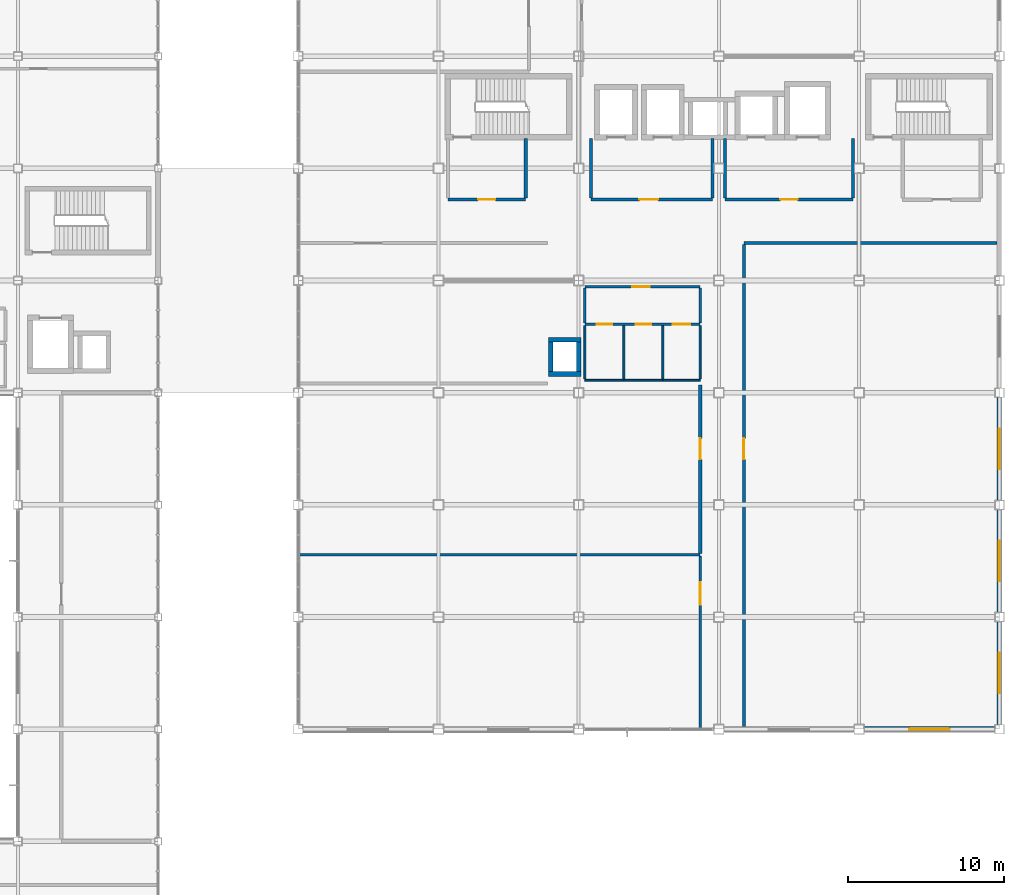
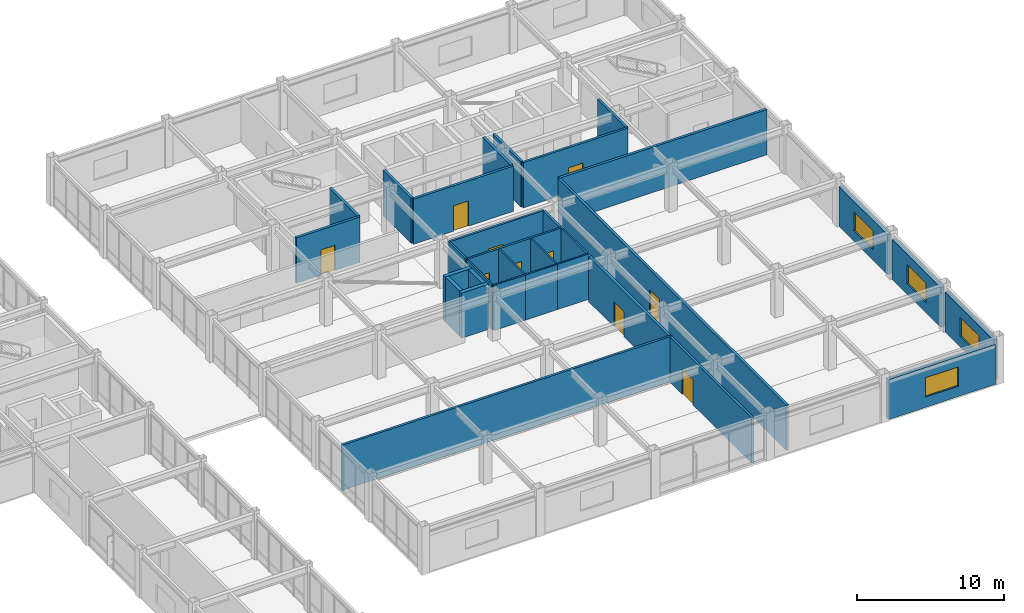
# One storey, part 98 of 113: 32 walls, 10 doors, 4 windows, 14 openings.
"""IFC4 building model written with IfcOpenShell, lengths in metres."""

from ifc_helpers import new_model, si_unit, direction, frame, frame_2d, origin, place, context, subcontext, project, spatial, rectangle, extrude, material, layer, layer_set, type_object, element, fill, save


model = new_model("IFC4")

# Units and contexts
model_context = context("Model", 3, precision=1e-05, world=origin(), true_north=direction((0.0, 1.0)))
body_context = subcontext(model_context, "Body", "Model", "MODEL_VIEW")
ifc_project = project(units=[si_unit("LENGTHUNIT", "METRE"), si_unit("AREAUNIT", "SQUARE_METRE"), si_unit("VOLUMEUNIT", "CUBIC_METRE"), si_unit("PLANEANGLEUNIT", "RADIAN"), si_unit("MASSUNIT", "GRAM", prefix="KILO")], contexts=[model_context])

# Site, building, storey
site_placement = place(None, origin())
site = spatial("IfcSite", under=ifc_project, at=site_placement, CompositionType="ELEMENT")
building_placement = place(site_placement, origin())
building = spatial("IfcBuilding", under=site, at=building_placement, Name="Kazanami Central Library", CompositionType="ELEMENT")
storey_placement = place(building_placement, frame((0.0, 0.0, 8.800048828125)))
storey = spatial("IfcBuildingStorey", under=building, at=storey_placement, Name="L03", CompositionType="ELEMENT", Elevation=8.800048828125)

# Wall, opening, window
ifc_material_1 = material(Name="Concrete Fc36 (36 MPa)", Category="concrete")
ifc_layer_1 = layer(ifc_material_1, 0.219970703125, Name="Concrete Fc36 (36 MPa)")
ifc_material_2 = material(Name="Extruded Polystyrene XPS", Category="earth")
ifc_layer_2 = layer(ifc_material_2, 0.050048828125, Name="Extruded Polystyrene XPS")
ifc_material_3 = material(Name="Honed Inada Granite", Category="masonry")
ifc_layer_3 = layer(ifc_material_3, 0.030029296875, Name="Honed Inada Granite")
ifc_layer_set_1 = layer_set([ifc_layer_1, ifc_layer_2, ifc_layer_3], Name="Concrete Fc36 (36 MPa)")
wall_type_1 = type_object("IfcWallType", Name="WAL-EW-300", PredefinedType="STANDARD", material=ifc_layer_set_1)
wall_1_placement = place(storey_placement, frame((162.0, 50.10009765625, 0.0), z_axis=(0.0, 0.0, 1.0), x_axis=(0.0, -1.0, 0.0)))
wall_1 = element("IfcWall", 1, at=wall_1_placement, inside=storey, type_object=wall_type_1, Name="Exterior Facade Wall EW-300 L03 E-19-06", PredefinedType="STANDARD", context=body_context, shape_type="SweptSolid", body=[
    extrude(rectangle(XDim=6.60009765625, YDim=0.300048828125, at=frame_2d((3.300048828125, 0.0))), origin(), (0.0, 0.0, 1.0), 3.294921875),
])
opening_1_placement = place(wall_1_placement, frame((2.0, 0.0, 0.85009765625)))
opening_1 = element("IfcOpeningElement", 2, at=opening_1_placement, cuts=wall_1, Name="Opening WN-13", PredefinedType="OPENING", context=body_context, shape_type="SweptSolid", body=[
    extrude(rectangle(XDim=2.60009765625, YDim=1.60009765625, at=frame_2d((1.300048828125, 0.800048828125))), frame((0.0, 0.162109375, 0.0), z_axis=(0.0, -1.0, 0.0), x_axis=(1.0, 0.0, 0.0)), (0.0, 0.0, 1.0), 0.323974609375),
])
ifc_material_4 = material(Name="Low-E Insulated Triple Glass", Category="glass")
window_type = type_object("IfcWindowType", Name="WIN-WN-13", PartitioningType="DOUBLE_PANEL_VERTICAL", PredefinedType="WINDOW", material=ifc_material_4)
window_1_placement = place(opening_1_placement, origin())
window_1 = element("IfcWindow", 3, at=window_1_placement, inside=storey, type_object=window_type, Name="Facade Window WN-13 L03 E-19-06", OverallHeight=1.60009765625, OverallWidth=2.60009765625, PartitioningType="DOUBLE_PANEL_VERTICAL", PredefinedType="WINDOW", context=body_context, shape_type="SweptSolid", body=[
    extrude(rectangle(XDim=2.60009765625, YDim=1.60009765625, at=frame_2d((1.300048828125, 0.800048828125))), frame((0.0, 0.030029296875, 0.0), z_axis=(0.0, -1.0, 0.0), x_axis=(1.0, 0.0, 0.0)), (0.0, 0.0, 1.0), 0.06005859375),
])
fill(opening_1, window_1)

wall_2_placement = place(storey_placement, frame((162.0, 57.300048828125, 0.0), z_axis=(0.0, 0.0, 1.0), x_axis=(0.0, -1.0, 0.0)))
wall_2 = element("IfcWall", 4, at=wall_2_placement, inside=storey, type_object=wall_type_1, Name="Exterior Facade Wall EW-300 L03 E-19-07", PredefinedType="STANDARD", context=body_context, shape_type="SweptSolid", body=[
    extrude(rectangle(XDim=6.60009765625, YDim=0.300048828125, at=frame_2d((3.300048828125, 0.0))), origin(), (0.0, 0.0, 1.0), 3.294921875),
])
opening_2_placement = place(wall_2_placement, frame((2.0, 0.0, 0.85009765625)))
opening_2 = element("IfcOpeningElement", 5, at=opening_2_placement, cuts=wall_2, Name="Opening WN-13", PredefinedType="OPENING", context=body_context, shape_type="SweptSolid", body=[
    extrude(rectangle(XDim=2.60009765625, YDim=1.60009765625, at=frame_2d((1.300048828125, 0.800048828125))), frame((0.0, 0.162109375, 0.0), z_axis=(0.0, -1.0, 0.0), x_axis=(1.0, 0.0, 0.0)), (0.0, 0.0, 1.0), 0.323974609375),
])
window_2_placement = place(opening_2_placement, origin())
window_2 = element("IfcWindow", 6, at=window_2_placement, inside=storey, type_object=window_type, Name="Facade Window WN-13 L03 E-19-07", OverallHeight=1.60009765625, OverallWidth=2.60009765625, PartitioningType="DOUBLE_PANEL_VERTICAL", PredefinedType="WINDOW", context=body_context, shape_type="SweptSolid", body=[
    extrude(rectangle(XDim=2.60009765625, YDim=1.60009765625, at=frame_2d((1.300048828125, 0.800048828125))), frame((0.0, 0.030029296875, 0.0), z_axis=(0.0, -1.0, 0.0), x_axis=(1.0, 0.0, 0.0)), (0.0, 0.0, 1.0), 0.06005859375),
])
fill(opening_2, window_2)

wall_3_placement = place(storey_placement, frame((162.0, 64.5, 0.0), z_axis=(0.0, 0.0, 1.0), x_axis=(0.0, -1.0, 0.0)))
wall_3 = element("IfcWall", 7, at=wall_3_placement, inside=storey, type_object=wall_type_1, Name="Exterior Facade Wall EW-300 L03 E-19-08", PredefinedType="STANDARD", context=body_context, shape_type="SweptSolid", body=[
    extrude(rectangle(XDim=6.60009765625, YDim=0.300048828125, at=frame_2d((3.300048828125, 0.0))), origin(), (0.0, 0.0, 1.0), 3.294921875),
])
opening_3_placement = place(wall_3_placement, frame((2.0, 0.0, 0.85009765625)))
opening_3 = element("IfcOpeningElement", 8, at=opening_3_placement, cuts=wall_3, Name="Opening WN-13", PredefinedType="OPENING", context=body_context, shape_type="SweptSolid", body=[
    extrude(rectangle(XDim=2.60009765625, YDim=1.60009765625, at=frame_2d((1.300048828125, 0.800048828125))), frame((0.0, 0.162109375, 0.0), z_axis=(0.0, -1.0, 0.0), x_axis=(1.0, 0.0, 0.0)), (0.0, 0.0, 1.0), 0.323974609375),
])
window_3_placement = place(opening_3_placement, origin())
window_3 = element("IfcWindow", 9, at=window_3_placement, inside=storey, type_object=window_type, Name="Facade Window WN-13 L03 E-19-08", OverallHeight=1.60009765625, OverallWidth=2.60009765625, PartitioningType="DOUBLE_PANEL_VERTICAL", PredefinedType="WINDOW", context=body_context, shape_type="SweptSolid", body=[
    extrude(rectangle(XDim=2.60009765625, YDim=1.60009765625, at=frame_2d((1.300048828125, 0.800048828125))), frame((0.0, 0.030029296875, 0.0), z_axis=(0.0, -1.0, 0.0), x_axis=(1.0, 0.0, 0.0)), (0.0, 0.0, 1.0), 0.06005859375),
])
fill(opening_3, window_3)

ifc_layer_4 = layer(ifc_material_1, 0.239990234375, Name="Concrete Fc36 (36 MPa)")
ifc_layer_5 = layer(ifc_material_2, 0.050048828125, Name="Extruded Polystyrene XPS")
ifc_layer_6 = layer(ifc_material_3, 0.030029296875, Name="Honed Inada Granite")
ifc_layer_set_2 = layer_set([ifc_layer_4, ifc_layer_5, ifc_layer_6], Name="Concrete Fc36 (36 MPa)")
wall_type_2 = type_object("IfcWallType", Name="WAL-EW-320", PredefinedType="STANDARD", material=ifc_layer_set_2)
wall_4_placement = place(storey_placement, frame((153.324951171875, 43.199951171875, 0.0), z_axis=(0.0, 0.0, 1.0), x_axis=(1.0, 0.0, 0.0)))
wall_4 = element("IfcWall", 10, at=wall_4_placement, inside=storey, type_object=wall_type_2, Name="Exterior Facade Wall EW-320 L03 S-G-17", PredefinedType="STANDARD", context=body_context, shape_type="SweptSolid", body=[
    extrude(rectangle(XDim=8.375, YDim=0.320068359375, at=frame_2d((4.1875, 0.0))), origin(), (0.0, 0.0, 1.0), 3.294921875),
])
opening_4_placement = place(wall_4_placement, frame((2.887451171875, 0.0, 0.85009765625)))
opening_4 = element("IfcOpeningElement", 11, at=opening_4_placement, cuts=wall_4, Name="Opening WN-13", PredefinedType="OPENING", context=body_context, shape_type="SweptSolid", body=[
    extrude(rectangle(XDim=2.60009765625, YDim=1.60009765625, at=frame_2d((1.300048828125, 0.800048828125))), frame((0.0, 0.171875, 0.0), z_axis=(0.0, -1.0, 0.0), x_axis=(1.0, 0.0, 0.0)), (0.0, 0.0, 1.0), 0.343994140625),
])
window_4_placement = place(opening_4_placement, origin())
window_4 = element("IfcWindow", 12, at=window_4_placement, inside=storey, type_object=window_type, Name="Facade Window WN-13 L03 S-G-17", OverallHeight=1.60009765625, OverallWidth=2.60009765625, PartitioningType="DOUBLE_PANEL_VERTICAL", PredefinedType="WINDOW", context=body_context, shape_type="SweptSolid", body=[
    extrude(rectangle(XDim=2.60009765625, YDim=1.60009765625, at=frame_2d((1.300048828125, 0.800048828125))), frame((0.0, 0.030029296875, 0.0), z_axis=(0.0, -1.0, 0.0), x_axis=(1.0, 0.0, 0.0)), (0.0, 0.0, 1.0), 0.06005859375),
])
fill(opening_4, window_4)

# Wall, openings, doors
ifc_material_5 = material(Name="Fire-Resistant Gypsum Board GB-F", Category="gypsum")
ifc_layer_7 = layer(ifc_material_5, 0.1650390625, Name="Fire-Resistant Gypsum Board GB-F")
ifc_layer_set_3 = layer_set([ifc_layer_7], Name="Fire-Resistant Gypsum Board GB-F")
wall_type_3 = type_object("IfcWallType", Name="WAL-FW-165", PredefinedType="PARTITIONING", material=ifc_layer_set_3)
wall_5_placement = place(storey_placement, frame((135.39990234375, 69.199951171875, 0.0), z_axis=(0.0, 0.0, 1.0), x_axis=(1.0, 0.0, 0.0)))
wall_5 = element("IfcWall", 13, at=wall_5_placement, inside=storey, type_object=wall_type_3, Name="Interior Partition FW-165 L03 WC-V2-LOB (South)", PredefinedType="PARTITIONING", context=body_context, shape_type="SweptSolid", body=[
    extrude(rectangle(XDim=7.400146484375, YDim=0.1650390625, at=frame_2d((3.7001953125, 0.0))), origin(), (0.0, 0.0, 1.0), 3.744873046875),
])
opening_5_placement = place(wall_5_placement, frame((0.760009765625, 0.0, 0.0)))
opening_5 = element("IfcOpeningElement", 14, at=opening_5_placement, cuts=wall_5, Name="Opening FD30-3", PredefinedType="OPENING", context=body_context, shape_type="SweptSolid", body=[
    extrude(rectangle(XDim=0.97998046875, YDim=2.02001953125, at=frame_2d((0.489990234375, 1.010009765625))), frame((0.0, 0.094482421875, 0.0), z_axis=(0.0, -1.0, 0.0), x_axis=(1.0, 0.0, 0.0)), (0.0, 0.0, 1.0), 0.18896484375),
])
opening_6_placement = place(wall_5_placement, frame((3.25, 0.0, 0.0)))
opening_6 = element("IfcOpeningElement", 15, at=opening_6_placement, cuts=wall_5, Name="Opening FD30-2", PredefinedType="OPENING", context=body_context, shape_type="SweptSolid", body=[
    extrude(rectangle(XDim=1.0, YDim=2.080078125, at=frame_2d((0.5, 1.0400390625))), frame((0.0, 0.094482421875, 0.0), z_axis=(0.0, -1.0, 0.0), x_axis=(1.0, 0.0, 0.0)), (0.0, 0.0, 1.0), 0.18896484375),
])
opening_7_placement = place(wall_5_placement, frame((5.639892578125, 0.0, 0.0)))
opening_7 = element("IfcOpeningElement", 16, at=opening_7_placement, cuts=wall_5, Name="Opening FD30-8", PredefinedType="OPENING", context=body_context, shape_type="SweptSolid", body=[
    extrude(rectangle(XDim=1.1201171875, YDim=2.080078125, at=frame_2d((0.56005859375, 1.0400390625))), frame((0.0, 0.094482421875, 0.0), z_axis=(0.0, -1.0, 0.0), x_axis=(1.0, 0.0, 0.0)), (0.0, 0.0, 1.0), 0.18896484375),
])
ifc_material_6 = material(Name="Cold-Rolled Steel SPCC", Category="steel")
door_type_1 = type_object("IfcDoorType", Name="DOR-FD30-2", OperationType="NOTDEFINED", PredefinedType="DOOR", material=ifc_material_6)
door_1_placement = place(opening_6_placement, origin())
door_1 = element("IfcDoor", 17, at=door_1_placement, inside=storey, type_object=door_type_1, Name="Interior Door FD30-2 L03 WC-V2-F", OperationType="SINGLE_SWING_RIGHT", OverallHeight=2.080078125, OverallWidth=1.0, PredefinedType="DOOR", context=body_context, shape_type="SweptSolid", body=[
    extrude(rectangle(XDim=1.0, YDim=2.080078125, at=frame_2d((0.5, 1.0400390625))), frame((0.0, 0.02490234375, 0.0), z_axis=(0.0, -1.0, 0.0), x_axis=(1.0, 0.0, 0.0)), (0.0, 0.0, 1.0), 0.050048828125),
])
fill(opening_6, door_1)
door_type_2 = type_object("IfcDoorType", Name="DOR-FD30-3", OperationType="NOTDEFINED", PredefinedType="DOOR", material=ifc_material_6)
door_2_placement = place(opening_5_placement, origin())
door_2 = element("IfcDoor", 18, at=door_2_placement, inside=storey, type_object=door_type_2, Name="Interior Door FD30-3 L03 WC-V2-M", OperationType="SINGLE_SWING_LEFT", OverallHeight=2.02001953125, OverallWidth=0.97998046875, PredefinedType="DOOR", context=body_context, shape_type="SweptSolid", body=[
    extrude(rectangle(XDim=0.97998046875, YDim=2.02001953125, at=frame_2d((0.489990234375, 1.010009765625))), frame((0.0, 0.02490234375, 0.0), z_axis=(0.0, -1.0, 0.0), x_axis=(1.0, 0.0, 0.0)), (0.0, 0.0, 1.0), 0.050048828125),
])
fill(opening_5, door_2)
door_type_3 = type_object("IfcDoorType", Name="DOR-FD30-8", OperationType="NOTDEFINED", PredefinedType="DOOR", material=ifc_material_6)
door_3_placement = place(opening_7_placement, origin())
door_3 = element("IfcDoor", 19, at=door_3_placement, inside=storey, type_object=door_type_3, Name="Interior Door FD30-8 L03 WC-V2-ACC", OperationType="SINGLE_SWING_LEFT", OverallHeight=2.080078125, OverallWidth=1.1201171875, PredefinedType="DOOR", context=body_context, shape_type="SweptSolid", body=[
    extrude(rectangle(XDim=1.1201171875, YDim=2.080078125, at=frame_2d((0.56005859375, 1.0400390625))), frame((0.0, 0.02490234375, 0.0), z_axis=(0.0, -1.0, 0.0), x_axis=(1.0, 0.0, 0.0)), (0.0, 0.0, 1.0), 0.050048828125),
])
fill(opening_7, door_3)

# Wall, opening, door
wall_6_placement = place(storey_placement, frame((135.39990234375, 71.60009765625, 0.0), z_axis=(0.0, 0.0, 1.0), x_axis=(1.0, 0.0, 0.0)))
wall_6 = element("IfcWall", 20, at=wall_6_placement, inside=storey, type_object=wall_type_3, Name="Interior Partition FW-165 L03 WC-V2-LOB (North)", PredefinedType="PARTITIONING", context=body_context, shape_type="SweptSolid", body=[
    extrude(rectangle(XDim=7.400146484375, YDim=0.1650390625, at=frame_2d((3.7001953125, 0.0))), origin(), (0.0, 0.0, 1.0), 3.744873046875),
])
opening_8_placement = place(wall_6_placement, frame((3.0400390625, 0.0, 0.0)))
opening_8 = element("IfcOpeningElement", 21, at=opening_8_placement, cuts=wall_6, Name="Opening FD30-8", PredefinedType="OPENING", context=body_context, shape_type="SweptSolid", body=[
    extrude(rectangle(XDim=1.1201171875, YDim=2.080078125, at=frame_2d((0.56005859375, 1.0400390625))), frame((0.0, 0.094482421875, 0.0), z_axis=(0.0, -1.0, 0.0), x_axis=(1.0, 0.0, 0.0)), (0.0, 0.0, 1.0), 0.18896484375),
])
door_4_placement = place(opening_8_placement, origin())
door_4 = element("IfcDoor", 22, at=door_4_placement, inside=storey, type_object=door_type_3, Name="Interior Door FD30-8 L03 WC-V2-LOB", OperationType="SINGLE_SWING_RIGHT", OverallHeight=2.080078125, OverallWidth=1.1201171875, PredefinedType="DOOR", context=body_context, shape_type="SweptSolid", body=[
    extrude(rectangle(XDim=1.1201171875, YDim=2.080078125, at=frame_2d((0.56005859375, 1.0400390625))), frame((0.0, 0.02490234375, 0.0), z_axis=(0.0, -1.0, 0.0), x_axis=(1.0, 0.0, 0.0)), (0.0, 0.0, 1.0), 0.050048828125),
])
fill(opening_8, door_4)

# Walls
for number, where, z_axis, x_axis, name in (
    (23, (135.39990234375, 69.2900390625, 0.0), (0.0, 0.0, 1.0), (0.0, 1.0, 0.0), "Interior Partition FW-165 L03 WC-V2-LOB (West)"),
    (24, (142.800048828125, 69.2900390625, 0.0), (0.0, 0.0, 1.0), (0.0, 1.0, 0.0), "Interior Partition FW-165 L03 WC-V2-LOB (East)"),
):
    element("IfcWall", number, at=place(storey_placement, frame(where, z_axis=z_axis, x_axis=x_axis)), inside=storey, type_object=wall_type_3, Name=name, PredefinedType="PARTITIONING", context=body_context, shape_type="SweptSolid", body=[
        extrude(rectangle(XDim=2.219970703125, YDim=0.1650390625, at=frame_2d((1.10986328125, 0.0))), origin(), (0.0, 0.0, 1.0), 3.744873046875),
    ])

# Wall, opening, door
ifc_layer_8 = layer(ifc_material_5, 0.179931640625, Name="Fire-Resistant Gypsum Board GB-F")
ifc_layer_set_4 = layer_set([ifc_layer_8], Name="Fire-Resistant Gypsum Board GB-F")
wall_type_4 = type_object("IfcWallType", Name="WAL-FW-180", PredefinedType="PARTITIONING", material=ifc_layer_set_4)
wall_7_placement = place(storey_placement, frame((144.39990234375, 77.199951171875, 0.0), z_axis=(0.0, 0.0, 1.0), x_axis=(1.0, 0.0, 0.0)))
wall_7 = element("IfcWall", 25, at=wall_7_placement, inside=storey, type_object=wall_type_4, Name="Interior Partition FW-180 L03 LOBBY-V2 (South)", PredefinedType="PARTITIONING", context=body_context, shape_type="SweptSolid", body=[
    extrude(rectangle(XDim=8.2001953125, YDim=0.179931640625, at=frame_2d((4.10009765625, 0.0))), origin(), (0.0, 0.0, 1.0), 3.744873046875),
])
opening_9_placement = place(wall_7_placement, frame((3.5400390625, 0.0, 0.0)))
opening_9 = element("IfcOpeningElement", 26, at=opening_9_placement, cuts=wall_7, Name="Opening FD30-8", PredefinedType="OPENING", context=body_context, shape_type="SweptSolid", body=[
    extrude(rectangle(XDim=1.1201171875, YDim=2.080078125, at=frame_2d((0.56005859375, 1.0400390625))), frame((0.0, 0.10205078125, 0.0), z_axis=(0.0, -1.0, 0.0), x_axis=(1.0, 0.0, 0.0)), (0.0, 0.0, 1.0), 0.203857421875),
])
door_5_placement = place(opening_9_placement, frame((1.1201171875, 0.0, 0.0), z_axis=(0.0, 0.0, 1.0), x_axis=(-1.0, 0.0, 0.0)))
door_5 = element("IfcDoor", 27, at=door_5_placement, inside=storey, type_object=door_type_3, Name="Interior Door FD30-8 L03 LOBBY-V2", OperationType="SINGLE_SWING_LEFT", OverallHeight=2.080078125, OverallWidth=1.1201171875, PredefinedType="DOOR", context=body_context, shape_type="SweptSolid", body=[
    extrude(rectangle(XDim=1.1201171875, YDim=2.080078125, at=frame_2d((0.56005859375, 1.0400390625))), frame((0.0, 0.02490234375, 0.0), z_axis=(0.0, -1.0, 0.0), x_axis=(1.0, 0.0, 0.0)), (0.0, 0.0, 1.0), 0.050048828125),
])
fill(opening_9, door_5)

# Walls
for number, where, z_axis, x_axis, name in (
    (28, (144.39990234375, 77.2900390625, 0.0), (0.0, 0.0, 1.0), (0.0, 1.0, 0.0), "Interior Partition FW-180 L03 LOBBY-V2 (West)"),
    (29, (152.60009765625, 77.2900390625, 0.0), (0.0, 0.0, 1.0), (0.0, 1.0, 0.0), "Interior Partition FW-180 L03 LOBBY-V2 (East)"),
):
    element("IfcWall", number, at=place(storey_placement, frame(where, z_axis=z_axis, x_axis=x_axis)), inside=storey, type_object=wall_type_4, Name=name, PredefinedType="PARTITIONING", context=body_context, shape_type="SweptSolid", body=[
        extrude(rectangle(XDim=3.820068359375, YDim=0.179931640625, at=frame_2d((1.91015625, 0.0))), origin(), (0.0, 0.0, 1.0), 3.744873046875),
    ])
wall_8_placement = place(storey_placement, frame((117.034912109375, 54.39990234375, 0.0), z_axis=(0.0, 0.0, 1.0), x_axis=(1.0, 0.0, 0.0)))
element("IfcWall", 30, at=wall_8_placement, inside=storey, type_object=wall_type_4, Name="Interior Partition FW-180 L03 RM-37 (North)", PredefinedType="PARTITIONING", context=body_context, shape_type="SweptSolid", body=[
    extrude(rectangle(XDim=25.76513671875, YDim=0.179931640625, at=frame_2d((12.882568359375, 0.0))), origin(), (0.0, 0.0, 1.0), 3.744873046875),
])

# Wall, opening, door
wall_9_placement = place(storey_placement, frame((142.800048828125, 43.235107421875, 0.0), z_axis=(0.0, 0.0, 1.0), x_axis=(0.0, 1.0, 0.0)))
wall_9 = element("IfcWall", 31, at=wall_9_placement, inside=storey, type_object=wall_type_4, Name="Interior Partition FW-180 L03 RM-37 (East)", PredefinedType="PARTITIONING", context=body_context, shape_type="SweptSolid", body=[
    extrude(rectangle(XDim=11.074951171875, YDim=0.179931640625, at=frame_2d((5.53759765625, 0.0))), origin(), (0.0, 0.0, 1.0), 3.744873046875),
])
opening_10_placement = place(wall_9_placement, frame((7.965087890625, 0.0, 0.0)))
opening_10 = element("IfcOpeningElement", 32, at=opening_10_placement, cuts=wall_9, Name="Opening FD30-6", PredefinedType="OPENING", context=body_context, shape_type="SweptSolid", body=[
    extrude(rectangle(XDim=1.449951171875, YDim=2.10009765625, at=frame_2d((0.72509765625, 1.050048828125))), frame((0.0, 0.10205078125, 0.0), z_axis=(0.0, -1.0, 0.0), x_axis=(1.0, 0.0, 0.0)), (0.0, 0.0, 1.0), 0.203857421875),
])
door_type_4 = type_object("IfcDoorType", Name="DOR-FD30-6", OperationType="DOUBLE_DOOR_SINGLE_SWING", PredefinedType="DOOR", material=ifc_material_6)
door_6_placement = place(opening_10_placement, origin())
door_6 = element("IfcDoor", 33, at=door_6_placement, inside=storey, type_object=door_type_4, Name="Interior Door FD30-6 L03 RM-37", OperationType="DOUBLE_DOOR_SINGLE_SWING", OverallHeight=2.10009765625, OverallWidth=1.449951171875, PredefinedType="DOOR", context=body_context, shape_type="SweptSolid", body=[
    extrude(rectangle(XDim=1.449951171875, YDim=2.10009765625, at=frame_2d((0.72509765625, 1.050048828125))), frame((0.0, 0.02490234375, 0.0), z_axis=(0.0, -1.0, 0.0), x_axis=(1.0, 0.0, 0.0)), (0.0, 0.0, 1.0), 0.050048828125),
])
fill(opening_10, door_6)

ifc_layer_9 = layer(ifc_material_5, 0.199951171875, Name="Fire-Resistant Gypsum Board GB-F")
ifc_layer_set_5 = layer_set([ifc_layer_9], Name="Fire-Resistant Gypsum Board GB-F")
wall_type_5 = type_object("IfcWallType", Name="WAL-FW-200", PredefinedType="PARTITIONING", material=ifc_layer_set_5)
wall_10_placement = place(storey_placement, frame((126.60009765625, 77.199951171875, 0.0), z_axis=(0.0, 0.0, 1.0), x_axis=(1.0, 0.0, 0.0)))
wall_10 = element("IfcWall", 34, at=wall_10_placement, inside=storey, type_object=wall_type_5, Name="Interior Partition FW-200 L03 VEST-ST-01 (South)", PredefinedType="PARTITIONING", context=body_context, shape_type="SweptSolid", body=[
    extrude(rectangle(XDim=5.0, YDim=0.199951171875, at=frame_2d((2.5, 0.0))), origin(), (0.0, 0.0, 1.0), 3.744873046875),
])
opening_11_placement = place(wall_10_placement, frame((1.949951171875, 0.0, 0.0)))
opening_11 = element("IfcOpeningElement", 35, at=opening_11_placement, cuts=wall_10, Name="Opening FD60-3", PredefinedType="OPENING", context=body_context, shape_type="SweptSolid", body=[
    extrude(rectangle(XDim=1.10009765625, YDim=2.080078125, at=frame_2d((0.550048828125, 1.0400390625))), frame((0.0, 0.11181640625, 0.0), z_axis=(0.0, -1.0, 0.0), x_axis=(1.0, 0.0, 0.0)), (0.0, 0.0, 1.0), 0.223876953125),
])
door_type_5 = type_object("IfcDoorType", Name="DOR-FD60-3", OperationType="NOTDEFINED", PredefinedType="DOOR", material=ifc_material_6)
door_7_placement = place(opening_11_placement, origin())
door_7 = element("IfcDoor", 36, at=door_7_placement, inside=storey, type_object=door_type_5, Name="Interior Door FD60-3 L03 VEST-ST-01", OperationType="SINGLE_SWING_RIGHT", OverallHeight=2.080078125, OverallWidth=1.10009765625, PredefinedType="DOOR", context=body_context, shape_type="SweptSolid", body=[
    extrude(rectangle(XDim=1.10009765625, YDim=2.080078125, at=frame_2d((0.550048828125, 1.0400390625))), frame((0.0, 0.02490234375, 0.0), z_axis=(0.0, -1.0, 0.0), x_axis=(1.0, 0.0, 0.0)), (0.0, 0.0, 1.0), 0.050048828125),
])
fill(opening_11, door_7)

# Wall
wall_11_placement = place(storey_placement, frame((131.60009765625, 77.2900390625, 0.0), z_axis=(0.0, 0.0, 1.0), x_axis=(0.0, 1.0, 0.0)))
element("IfcWall", 37, at=wall_11_placement, inside=storey, type_object=wall_type_5, Name="Interior Partition FW-200 L03 VEST-ST-01 (East)", PredefinedType="PARTITIONING", context=body_context, shape_type="SweptSolid", body=[
    extrude(rectangle(XDim=3.820068359375, YDim=0.199951171875, at=frame_2d((1.91015625, 0.0))), origin(), (0.0, 0.0, 1.0), 3.744873046875),
])

# Wall, opening, door
wall_12_placement = place(storey_placement, frame((135.800048828125, 77.199951171875, 0.0), z_axis=(0.0, 0.0, 1.0), x_axis=(1.0, 0.0, 0.0)))
wall_12 = element("IfcWall", 38, at=wall_12_placement, inside=storey, type_object=wall_type_5, Name="Interior Partition FW-200 L03 LOBBY-FF (South)", PredefinedType="PARTITIONING", context=body_context, shape_type="SweptSolid", body=[
    extrude(rectangle(XDim=7.800048828125, YDim=0.199951171875, at=frame_2d((3.89990234375, 0.0))), origin(), (0.0, 0.0, 1.0), 3.744873046875),
])
opening_12_placement = place(wall_12_placement, frame((3.10009765625, 0.0, 0.0)))
opening_12 = element("IfcOpeningElement", 39, at=opening_12_placement, cuts=wall_12, Name="Opening FD60-1", PredefinedType="OPENING", context=body_context, shape_type="SweptSolid", body=[
    extrude(rectangle(XDim=1.199951171875, YDim=2.10009765625, at=frame_2d((0.60009765625, 1.050048828125))), frame((0.0, 0.11181640625, 0.0), z_axis=(0.0, -1.0, 0.0), x_axis=(1.0, 0.0, 0.0)), (0.0, 0.0, 1.0), 0.223876953125),
])
door_type_6 = type_object("IfcDoorType", Name="DOR-FD60-1", OperationType="NOTDEFINED", PredefinedType="DOOR", material=ifc_material_6)
door_8_placement = place(opening_12_placement, frame((1.199951171875, 0.0, 0.0), z_axis=(0.0, 0.0, 1.0), x_axis=(-1.0, 0.0, 0.0)))
door_8 = element("IfcDoor", 40, at=door_8_placement, inside=storey, type_object=door_type_6, Name="Interior Door FD60-1 L03 LOBBY-FF", OperationType="SINGLE_SWING_RIGHT", OverallHeight=2.10009765625, OverallWidth=1.199951171875, PredefinedType="DOOR", context=body_context, shape_type="SweptSolid", body=[
    extrude(rectangle(XDim=1.199951171875, YDim=2.10009765625, at=frame_2d((0.60009765625, 1.050048828125))), frame((0.0, 0.02490234375, 0.0), z_axis=(0.0, -1.0, 0.0), x_axis=(1.0, 0.0, 0.0)), (0.0, 0.0, 1.0), 0.050048828125),
])
fill(opening_12, door_8)

# Walls
for number, where, z_axis, x_axis, name in (
    (41, (135.800048828125, 77.2900390625, 0.0), (0.0, 0.0, 1.0), (0.0, 1.0, 0.0), "Interior Partition FW-200 L03 LOBBY-FF (West)"),
    (42, (143.60009765625, 77.2900390625, 0.0), (0.0, 0.0, 1.0), (0.0, 1.0, 0.0), "Interior Partition FW-200 L03 LOBBY-FF (East)"),
):
    element("IfcWall", number, at=place(storey_placement, frame(where, z_axis=z_axis, x_axis=x_axis)), inside=storey, type_object=wall_type_5, Name=name, PredefinedType="PARTITIONING", context=body_context, shape_type="SweptSolid", body=[
        extrude(rectangle(XDim=3.820068359375, YDim=0.199951171875, at=frame_2d((1.91015625, 0.0))), origin(), (0.0, 0.0, 1.0), 3.744873046875),
    ])
wall_13_placement = place(storey_placement, frame((145.60009765625, 74.39990234375, 0.0), z_axis=(0.0, 0.0, 1.0), x_axis=(1.0, 0.0, 0.0)))
element("IfcWall", 43, at=wall_13_placement, inside=storey, type_object=wall_type_5, Name="Interior Partition FW-200 L03 RM-40 (North)", PredefinedType="PARTITIONING", context=body_context, shape_type="SweptSolid", body=[
    extrude(rectangle(XDim=16.244873046875, YDim=0.199951171875, at=frame_2d((8.12255859375, 0.0))), origin(), (0.0, 0.0, 1.0), 3.744873046875),
])

# Wall, opening, door
wall_14_placement = place(storey_placement, frame((145.60009765625, 43.364990234375, 0.0), z_axis=(0.0, 0.0, 1.0), x_axis=(0.0, 1.0, 0.0)))
wall_14 = element("IfcWall", 44, at=wall_14_placement, inside=storey, type_object=wall_type_5, Name="Interior Partition FW-200 L03 RM-40 (West)", PredefinedType="PARTITIONING", context=body_context, shape_type="SweptSolid", body=[
    extrude(rectangle(XDim=30.945068359375, YDim=0.199951171875, at=frame_2d((15.47265625, 0.0))), origin(), (0.0, 0.0, 1.0), 3.744873046875),
])
opening_13_placement = place(wall_14_placement, frame((17.159912109375, 0.0, 0.0)))
opening_13 = element("IfcOpeningElement", 45, at=opening_13_placement, cuts=wall_14, Name="Opening FD60-7", PredefinedType="OPENING", context=body_context, shape_type="SweptSolid", body=[
    extrude(rectangle(XDim=1.35009765625, YDim=2.080078125, at=frame_2d((0.675048828125, 1.0400390625))), frame((0.0, 0.11181640625, 0.0), z_axis=(0.0, -1.0, 0.0), x_axis=(1.0, 0.0, 0.0)), (0.0, 0.0, 1.0), 0.223876953125),
])
door_type_7 = type_object("IfcDoorType", Name="DOR-FD60-7", OperationType="DOUBLE_DOOR_SINGLE_SWING", PredefinedType="DOOR", material=ifc_material_6)
door_9_placement = place(opening_13_placement, origin())
door_9 = element("IfcDoor", 46, at=door_9_placement, inside=storey, type_object=door_type_7, Name="Interior Door FD60-7 L03 RM-40", OperationType="DOUBLE_DOOR_SINGLE_SWING", OverallHeight=2.080078125, OverallWidth=1.35009765625, PredefinedType="DOOR", context=body_context, shape_type="SweptSolid", body=[
    extrude(rectangle(XDim=1.35009765625, YDim=2.080078125, at=frame_2d((0.675048828125, 1.0400390625))), frame((0.0, 0.02490234375, 0.0), z_axis=(0.0, -1.0, 0.0), x_axis=(1.0, 0.0, 0.0)), (0.0, 0.0, 1.0), 0.050048828125),
])
fill(opening_13, door_9)

ifc_layer_10 = layer(ifc_material_5, 0.219970703125, Name="Fire-Resistant Gypsum Board GB-F")
ifc_layer_set_6 = layer_set([ifc_layer_10], Name="Fire-Resistant Gypsum Board GB-F")
wall_type_6 = type_object("IfcWallType", Name="WAL-FW-220", PredefinedType="PARTITIONING", material=ifc_layer_set_6)
wall_15_placement = place(storey_placement, frame((142.800048828125, 54.489990234375, 0.0), z_axis=(0.0, 0.0, 1.0), x_axis=(0.0, 1.0, 0.0)))
wall_15 = element("IfcWall", 47, at=wall_15_placement, inside=storey, type_object=wall_type_6, Name="Interior Partition FW-220 L03 RM-38 (East)", PredefinedType="PARTITIONING", context=body_context, shape_type="SweptSolid", body=[
    extrude(rectangle(XDim=10.820068359375, YDim=0.219970703125, at=frame_2d((5.41015625, 0.0))), origin(), (0.0, 0.0, 1.0), 3.744873046875),
])
opening_14_placement = place(wall_15_placement, frame((6.034912109375, 0.0, 0.0)))
opening_14 = element("IfcOpeningElement", 48, at=opening_14_placement, cuts=wall_15, Name="Opening FD60-7", PredefinedType="OPENING", context=body_context, shape_type="SweptSolid", body=[
    extrude(rectangle(XDim=1.35009765625, YDim=2.080078125, at=frame_2d((0.675048828125, 1.0400390625))), frame((0.0, 0.1220703125, 0.0), z_axis=(0.0, -1.0, 0.0), x_axis=(1.0, 0.0, 0.0)), (0.0, 0.0, 1.0), 0.243896484375),
])
door_10_placement = place(opening_14_placement, origin())
door_10 = element("IfcDoor", 49, at=door_10_placement, inside=storey, type_object=door_type_7, Name="Interior Door FD60-7 L03 RM-38", OperationType="DOUBLE_DOOR_SINGLE_SWING", OverallHeight=2.080078125, OverallWidth=1.35009765625, PredefinedType="DOOR", context=body_context, shape_type="SweptSolid", body=[
    extrude(rectangle(XDim=1.35009765625, YDim=2.080078125, at=frame_2d((0.675048828125, 1.0400390625))), frame((0.0, 0.02490234375, 0.0), z_axis=(0.0, -1.0, 0.0), x_axis=(1.0, 0.0, 0.0)), (0.0, 0.0, 1.0), 0.050048828125),
])
fill(opening_14, door_10)

# Walls
ifc_material_7 = material(Name="Gypsum Plasterboard GB-R", Category="gypsum")
ifc_layer_11 = layer(ifc_material_7, 0.125, Name="Gypsum Plasterboard GB-R")
ifc_layer_set_7 = layer_set([ifc_layer_11], Name="Gypsum Plasterboard GB-R")
wall_type_7 = type_object("IfcWallType", Name="WAL-PW-125", PredefinedType="PARTITIONING", material=ifc_layer_set_7)
wall_16_placement = place(storey_placement, frame((135.39990234375, 65.60009765625, 0.0), z_axis=(0.0, 0.0, 1.0), x_axis=(1.0, 0.0, 0.0)))
element("IfcWall", 50, at=wall_16_placement, inside=storey, type_object=wall_type_7, Name="Interior Partition PW-125 L03 WC-V2-M (South)", PredefinedType="PARTITIONING", context=body_context, shape_type="SweptSolid", body=[
    extrude(rectangle(XDim=2.5, YDim=0.125, at=frame_2d((1.25, 0.0))), origin(), (0.0, 0.0, 1.0), 3.744873046875),
])
for number, where, z_axis, x_axis, name in (
    (51, (135.39990234375, 65.68994140625, 0.0), (0.0, 0.0, 1.0), (0.0, 1.0, 0.0), "Interior Partition PW-125 L03 WC-V2-M (West)"),
    (52, (137.89990234375, 65.68994140625, 0.0), (0.0, 0.0, 1.0), (0.0, 1.0, 0.0), "Interior Partition PW-125 L03 WC-V2-M (East)"),
):
    element("IfcWall", number, at=place(storey_placement, frame(where, z_axis=z_axis, x_axis=x_axis)), inside=storey, type_object=wall_type_7, Name=name, PredefinedType="PARTITIONING", context=body_context, shape_type="SweptSolid", body=[
        extrude(rectangle(XDim=3.420166015625, YDim=0.125, at=frame_2d((1.7099609375, 0.0))), origin(), (0.0, 0.0, 1.0), 3.744873046875),
    ])
wall_17_placement = place(storey_placement, frame((137.89990234375, 65.60009765625, 0.0), z_axis=(0.0, 0.0, 1.0), x_axis=(1.0, 0.0, 0.0)))
element("IfcWall", 53, at=wall_17_placement, inside=storey, type_object=wall_type_7, Name="Interior Partition PW-125 L03 WC-V2-F (South)", PredefinedType="PARTITIONING", context=body_context, shape_type="SweptSolid", body=[
    extrude(rectangle(XDim=2.5, YDim=0.125, at=frame_2d((1.25, 0.0))), origin(), (0.0, 0.0, 1.0), 3.744873046875),
])
wall_18_placement = place(storey_placement, frame((140.39990234375, 65.68994140625, 0.0), z_axis=(0.0, 0.0, 1.0), x_axis=(0.0, 1.0, 0.0)))
element("IfcWall", 54, at=wall_18_placement, inside=storey, type_object=wall_type_7, Name="Interior Partition PW-125 L03 WC-V2-F (East)", PredefinedType="PARTITIONING", context=body_context, shape_type="SweptSolid", body=[
    extrude(rectangle(XDim=3.420166015625, YDim=0.125, at=frame_2d((1.7099609375, 0.0))), origin(), (0.0, 0.0, 1.0), 3.744873046875),
])
wall_19_placement = place(storey_placement, frame((140.39990234375, 65.60009765625, 0.0), z_axis=(0.0, 0.0, 1.0), x_axis=(1.0, 0.0, 0.0)))
element("IfcWall", 55, at=wall_19_placement, inside=storey, type_object=wall_type_7, Name="Interior Partition PW-125 L03 WC-V2-ACC (South)", PredefinedType="PARTITIONING", context=body_context, shape_type="SweptSolid", body=[
    extrude(rectangle(XDim=2.400146484375, YDim=0.125, at=frame_2d((1.2001953125, 0.0))), origin(), (0.0, 0.0, 1.0), 3.744873046875),
])
wall_20_placement = place(storey_placement, frame((142.800048828125, 65.68994140625, 0.0), z_axis=(0.0, 0.0, 1.0), x_axis=(0.0, 1.0, 0.0)))
element("IfcWall", 56, at=wall_20_placement, inside=storey, type_object=wall_type_7, Name="Interior Partition PW-125 L03 WC-V2-ACC (East)", PredefinedType="PARTITIONING", context=body_context, shape_type="SweptSolid", body=[
    extrude(rectangle(XDim=3.420166015625, YDim=0.125, at=frame_2d((1.7099609375, 0.0))), origin(), (0.0, 0.0, 1.0), 3.744873046875),
])
ifc_layer_12 = layer(ifc_material_1, 0.300048828125, Name="Concrete Fc36 (36 MPa)")
ifc_layer_set_8 = layer_set([ifc_layer_12], Name="Concrete Fc36 (36 MPa)")
wall_type_8 = type_object("IfcWallType", Name="WAL-SW-300", PredefinedType="SHEAR", material=ifc_layer_set_8)
for number, where, z_axis, x_axis, name in (
    (57, (133.050048828125, 66.0, 0.0), (0.0, 0.0, 1.0), (1.0, 0.0, 0.0), "Service Riser Wall RSR-V2-B S L03"),
    (58, (133.050048828125, 68.199951171875, 0.0), (0.0, 0.0, 1.0), (1.0, 0.0, 0.0), "Service Riser Wall RSR-V2-B N L03"),
):
    element("IfcWall", number, at=place(storey_placement, frame(where, z_axis=z_axis, x_axis=x_axis)), inside=storey, type_object=wall_type_8, Name=name, PredefinedType="SHEAR", context=body_context, shape_type="SweptSolid", body=[
        extrude(rectangle(XDim=2.099853515625, YDim=0.300048828125, at=frame_2d((1.0498046875, 0.0))), origin(), (0.0, 0.0, 1.0), 3.744873046875),
    ])
for number, where, z_axis, x_axis, name in (
    (59, (133.199951171875, 66.14990234375, 0.0), (0.0, 0.0, 1.0), (0.0, 1.0, 0.0), "Service Riser Wall RSR-V2-B W L03"),
    (60, (135.0, 66.14990234375, 0.0), (0.0, 0.0, 1.0), (0.0, 1.0, 0.0), "Service Riser Wall RSR-V2-B E L03"),
):
    element("IfcWall", number, at=place(storey_placement, frame(where, z_axis=z_axis, x_axis=x_axis)), inside=storey, type_object=wall_type_8, Name=name, PredefinedType="SHEAR", context=body_context, shape_type="SweptSolid", body=[
        extrude(rectangle(XDim=1.900146484375, YDim=0.300048828125, at=frame_2d((0.9501953125, 0.0))), origin(), (0.0, 0.0, 1.0), 3.744873046875),
    ])

save(model, "model.ifc")
